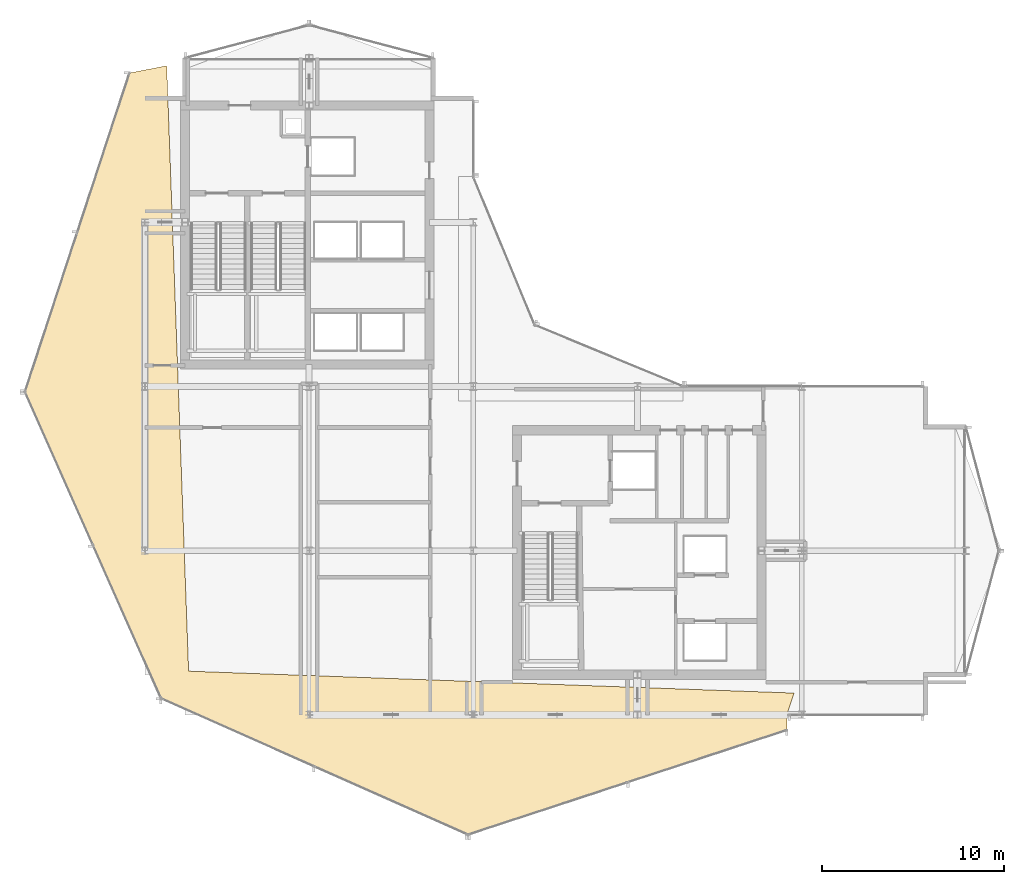
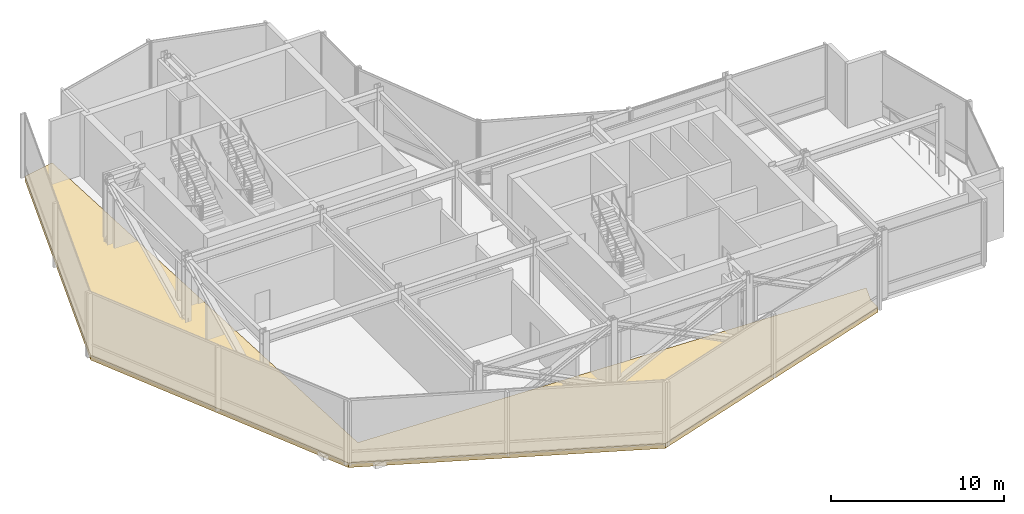
# One storey, part 27 of 30: 1 covering.
"""IFC4 building model written with IfcOpenShell, lengths in metres."""

import ifcopenshell
import ifcopenshell.guid

model = None  # the IFC model being written
_history = None  # IfcOwnerHistory: only IFC2X3 demands one
_inside = {}  # id of a spatial element -> (the spatial element, [elements in it])
_under = {}  # id of a project, library or spatial element -> (it, [spatial elements below it])
_declared = {}  # id of a project -> (the project, [libraries it declares])
_typed = {}  # id of a type object -> (the type object, [elements of that type])
_made_of = {}  # id of a material, layer set ... -> (it, [elements and type objects made of it])


def new_model(schema):
    """Start an empty IFC model of exactly this schema.

    Asked for "IFC4X3", IfcOpenShell would pick the latest addendum, in which some entities
    have other attributes; the version numbers below select the first issue.
    IFC2X3 requires an IfcOwnerHistory on every rooted entity: one is made here for all.
    """
    global model, _history
    if schema == "IFC4X3":
        model = ifcopenshell.file(schema_version=(4, 3, 0, 0))
    else:
        model = ifcopenshell.file(schema=schema)
    _inside.clear()
    _under.clear()
    _declared.clear()
    _typed.clear()
    _made_of.clear()
    _history = None
    if model.schema == "IFC2X3":
        org = make("IfcOrganization", Name="unknown")
        user = make(
            "IfcPersonAndOrganization",
            ThePerson=make("IfcPerson", FamilyName="unknown"),
            TheOrganization=org,
        )
        app = make(
            "IfcApplication",
            ApplicationDeveloper=org,
            Version="unknown",
            ApplicationFullName="unknown",
            ApplicationIdentifier="unknown",
        )
        _history = make(
            "IfcOwnerHistory",
            OwningUser=user,
            OwningApplication=app,
            ChangeAction="ADDED",
            CreationDate=0,
        )
    return model


def make(cls, **values):
    """One entity of the class cls with the attributes given. An attribute that is None is left unset."""
    return model.create_entity(
        cls, **{name: value for name, value in values.items() if value is not None}
    )


def rooted(cls, **values):
    """An entity with a GlobalId (a new one), such as an element, a storey or a relation."""
    return make(cls, GlobalId=ifcopenshell.guid.new(), OwnerHistory=_history, **values)


def si_unit(unit_type, name, prefix=None):
    """IfcSIUnit, for example si_unit("LENGTHUNIT", "METRE", prefix="MILLI")."""
    return make("IfcSIUnit", UnitType=unit_type, Prefix=prefix, Name=name)


def assignment(units):
    """IfcUnitAssignment: the units of a project."""
    return None if units is None else make("IfcUnitAssignment", Units=units)


def point(xyz):
    """IfcCartesianPoint."""
    return None if xyz is None else make("IfcCartesianPoint", Coordinates=xyz)


def direction(xyz):
    """IfcDirection."""
    return None if xyz is None else make("IfcDirection", DirectionRatios=xyz)


def frame(location, z_axis=None, x_axis=None):
    """IfcAxis2Placement3D, a coordinate frame: its origin and axes. An axis left out is left unset."""
    return make(
        "IfcAxis2Placement3D",
        Location=point(location),
        Axis=direction(z_axis),
        RefDirection=direction(x_axis),
    )


def origin():
    """The frame at (0, 0, 0) with its axes left unset."""
    return frame((0.0, 0.0, 0.0))


def place(relative_to, where):
    """IfcLocalPlacement: puts the frame where relative to a parent placement (None: the world)."""
    return make(
        "IfcLocalPlacement", PlacementRelTo=relative_to, RelativePlacement=where
    )


def context(
    kind, dimensions, precision=None, world=None, true_north=None, identifier=None
):
    """IfcGeometricRepresentationContext, for example the 3D "Model" context."""
    return make(
        "IfcGeometricRepresentationContext",
        ContextIdentifier=identifier,
        ContextType=kind,
        CoordinateSpaceDimension=dimensions,
        Precision=precision,
        WorldCoordinateSystem=world,
        TrueNorth=true_north,
    )


def subcontext(parent, identifier, kind, view, scale=None):
    """IfcGeometricRepresentationSubContext, for example "Body" below "Model"."""
    return make(
        "IfcGeometricRepresentationSubContext",
        ContextIdentifier=identifier,
        ContextType=kind,
        ParentContext=parent,
        TargetScale=scale,
        TargetView=view,
    )


def project(units=None, contexts=None):
    """IfcProject with its units and contexts."""
    return rooted(
        "IfcProject",
        Name="project",
        RepresentationContexts=contexts,
        UnitsInContext=assignment(units),
    )


def spatial(cls, under=None, at=None, **own):
    """A site, building, storey or space (cls), placed at a placement, below another one or the project."""
    s = rooted(cls, ObjectPlacement=at, **own)
    if under is not None:
        _under.setdefault(under.id(), (under, []))[1].append(s)
    return s


def polyline(points):
    """IfcPolyline through the points."""
    return make("IfcPolyline", Points=[point(p) for p in points])


def outline(outer, holes=None, kind="AREA"):
    """IfcArbitraryClosedProfileDef: a profile drawn as a closed curve; with holes, ...WithVoids."""
    if holes is None:
        return make("IfcArbitraryClosedProfileDef", ProfileType=kind, OuterCurve=outer)
    return make(
        "IfcArbitraryProfileDefWithVoids",
        ProfileType=kind,
        OuterCurve=outer,
        InnerCurves=holes,
    )


def extrude(swept, where, along, depth):
    """IfcExtrudedAreaSolid: the profile swept, set in the frame where, extruded along a direction by depth."""
    return make(
        "IfcExtrudedAreaSolid",
        SweptArea=swept,
        Position=where,
        ExtrudedDirection=direction(along),
        Depth=depth,
    )


def shape(context_of_items, identifier, shape_type, items):
    """IfcShapeRepresentation: the items that make up one representation, for example the "Body"."""
    return make(
        "IfcShapeRepresentation",
        ContextOfItems=context_of_items,
        RepresentationIdentifier=identifier,
        RepresentationType=shape_type,
        Items=items,
    )


def material(Name=None, Category=None):
    """IfcMaterial."""
    return make("IfcMaterial", Name=Name, Category=Category)


def layer(
    of_material, thickness, ventilated=None, Name=None, Category=None, Priority=None
):
    """IfcMaterialLayer: one layer of a wall or slab, of a material (None: an air gap)."""
    return make(
        "IfcMaterialLayer",
        Material=of_material,
        LayerThickness=thickness,
        IsVentilated=ventilated,
        Name=Name,
        Category=Category,
        Priority=Priority,
    )


def layer_set(layers, Name=None):
    """IfcMaterialLayerSet."""
    return make("IfcMaterialLayerSet", MaterialLayers=layers, LayerSetName=Name)


def made_of(thing, what):
    """Note that an element or type object is made of a material, layer set ...; save() writes the relation."""
    if what is not None:
        _made_of.setdefault(what.id(), (what, []))[1].append(thing)
    return thing


def type_object(cls, material=None, **own):
    """A type object (cls), such as IfcWallType, which elements share."""
    return made_of(rooted(cls, **own), material)


def element(
    cls,
    number,
    at=None,
    inside=None,
    cuts=None,
    type_object=None,
    material=None,
    context=None,
    identifier="Body",
    shape_type=None,
    held_by="IfcProductDefinitionShape",
    body=None,
    shapes=None,
    **own,
):
    """One element of the class cls, such as IfcWall. Its Tag is "e" and its number.

    at: its placement. inside: the storey or other place that contains it. cuts: it is an
    opening in that element (IfcRelVoidsElement). A single representation is given by context,
    identifier, shape_type and body (its items); several are given by shapes. held_by: the class
    of the entity that holds the representations. save() writes the other relations.
    """
    e = rooted(cls, Tag="e%d" % number, ObjectPlacement=at, **own)
    if body is not None:
        shapes = [shape(context, identifier, shape_type, body)]
    if shapes is not None:
        e.Representation = make(held_by, Representations=shapes)
    if inside is not None:
        _inside.setdefault(inside.id(), (inside, []))[1].append(e)
    if cuts is not None:
        rooted(
            "IfcRelVoidsElement", RelatingBuildingElement=cuts, RelatedOpeningElement=e
        )
    if type_object is not None:
        _typed.setdefault(type_object.id(), (type_object, []))[1].append(e)
    return made_of(e, material)


def aggregate(whole, parts):
    """IfcRelAggregates: a whole, such as a stair, and the parts it consists of."""
    return rooted("IfcRelAggregates", RelatingObject=whole, RelatedObjects=parts)


def save(model, path):
    """Write the relations noted so far, then the file.

    IfcRelAggregates (storeys below a building ...), IfcRelContainedInSpatialStructure (elements
    in a storey), IfcRelDefinesByType, IfcRelAssociatesMaterial and IfcRelDeclares: one each for
    every whole, place, type object, material and project.
    """
    for whole, parts in _under.values():
        aggregate(whole, parts)
    for where, things in _inside.values():
        rooted(
            "IfcRelContainedInSpatialStructure",
            RelatedElements=things,
            RelatingStructure=where,
        )
    for kind, things in _typed.values():
        rooted("IfcRelDefinesByType", RelatedObjects=things, RelatingType=kind)
    for what, things in _made_of.values():
        rooted("IfcRelAssociatesMaterial", RelatedObjects=things, RelatingMaterial=what)
    for by, libraries in _declared.values():
        rooted("IfcRelDeclares", RelatingContext=by, RelatedDefinitions=libraries)
    model.write(path)


model = new_model("IFC4")

# Units and contexts
model_context = context("Model", 3, precision=1e-05, world=origin(), true_north=direction((0.0, 1.0)))
body_context = subcontext(model_context, "Body", "Model", "MODEL_VIEW")
ifc_project = project(units=[si_unit("LENGTHUNIT", "METRE"), si_unit("AREAUNIT", "SQUARE_METRE"), si_unit("VOLUMEUNIT", "CUBIC_METRE"), si_unit("PLANEANGLEUNIT", "RADIAN"), si_unit("MASSUNIT", "GRAM", prefix="KILO")], contexts=[model_context])

# Site, building, storey
site_placement = place(None, origin())
site = spatial("IfcSite", under=ifc_project, at=site_placement, CompositionType="ELEMENT")
building_placement = place(site_placement, origin())
building = spatial("IfcBuilding", under=site, at=building_placement, Name="Solvaryn Broadcast Tower", CompositionType="ELEMENT")
storey_placement = place(building_placement, frame((0.0, 0.0, 196.39990234375)))
storey = spatial("IfcBuildingStorey", under=building, at=storey_placement, Name="L49", CompositionType="ELEMENT", Elevation=196.39990234375)

# Covering
ifc_material = material(Name="Sculpted Architectural Terracotta Wave Fascia", Category="masonry")
ifc_layer = layer(ifc_material, 0.340087890625)
ifc_layer_set = layer_set([ifc_layer], Name="CV-WAVE-TRAY")
covering_type = type_object("IfcCoveringType", Name="CV-WAVE-TRAY", PredefinedType="CLADDING", material=ifc_layer_set)
covering_placement = place(storey_placement, frame((0.0, 0.0, -0.2998046875)))
element("IfcCovering", 1, at=covering_placement, inside=storey, type_object=covering_type, Name="L49 Stepped Cylindrical Drum Floor Apron", PredefinedType="CLADDING", context=body_context, shape_type="SweptSolid", body=[
    extrude(outline(polyline([(10.199951171875, 44.58203125), (8.1630859375, 44.181884765625), (2.43310546875, 26.7060546875), (9.89794921875, 9.89794921875), (26.7060546875, 2.43310546875), (44.181884765625, 8.1630859375), (44.181884765625, 9.0), (44.58203125, 10.199951171875), (11.39990234375, 11.39990234375), (10.199951171875, 44.58203125)])), origin(), (0.0, 0.0, 1.0), 0.329833984375),
])

save(model, "model.ifc")
